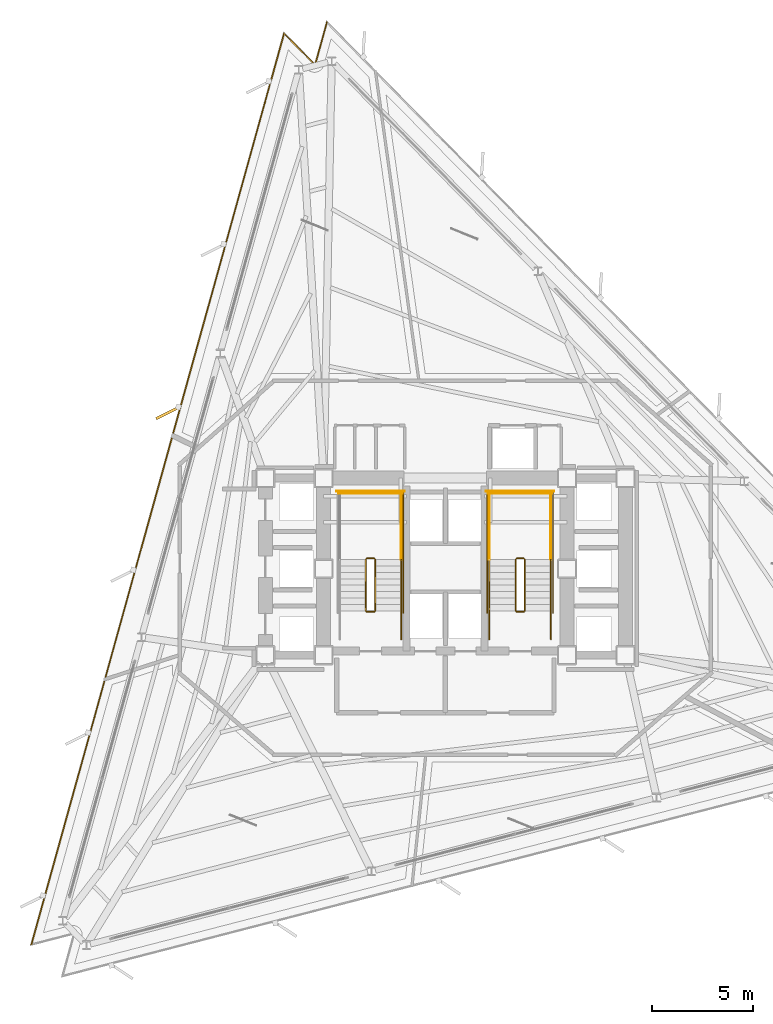
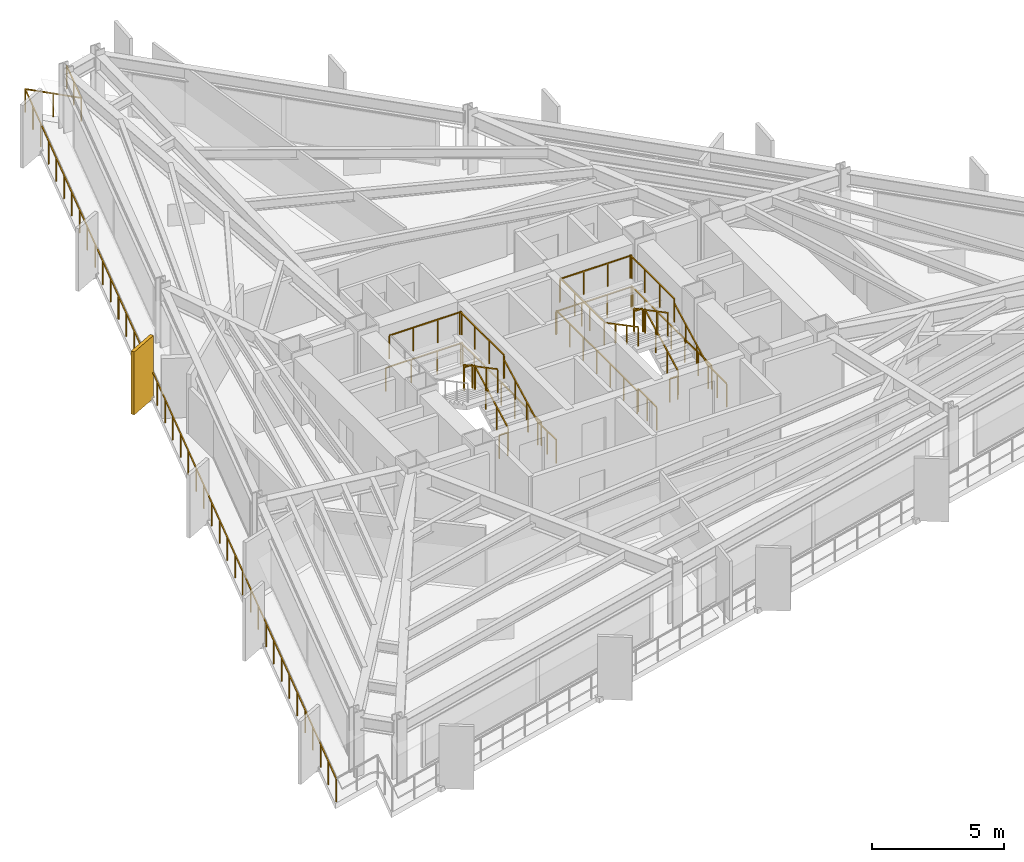
# One storey, part 10 of 11: 25 railings, 1 shading device.
"""IFC4 building model written with IfcOpenShell, lengths in metres."""

from ifc_helpers import new_model, si_unit, direction, frame, origin, origin_2d, place, context, subcontext, project, spatial, rectangle, extrude, material, layer, layer_set, type_object, element, save


model = new_model("IFC4")

# Units and contexts
model_context = context("Model", 3, precision=1e-05, world=origin(), true_north=direction((0.0, 1.0)))
body_context = subcontext(model_context, "Body", "Model", "MODEL_VIEW")
ifc_project = project(units=[si_unit("LENGTHUNIT", "METRE"), si_unit("AREAUNIT", "SQUARE_METRE"), si_unit("VOLUMEUNIT", "CUBIC_METRE"), si_unit("PLANEANGLEUNIT", "RADIAN"), si_unit("MASSUNIT", "GRAM", prefix="KILO")], contexts=[model_context])

# Site, building, storey
site_placement = place(None, origin())
site = spatial("IfcSite", under=ifc_project, at=site_placement, CompositionType="ELEMENT")
building_placement = place(site_placement, origin())
building = spatial("IfcBuilding", under=site, at=building_placement, Name="Rocaltana Carrier Exchange", CompositionType="ELEMENT")
storey_placement = place(building_placement, frame((0.0, 0.0, 88.639892578125)))
storey = spatial("IfcBuildingStorey", under=building, at=storey_placement, Name="L27", CompositionType="ELEMENT", Elevation=88.639892578125)

# Railings
ifc_material_1 = material(Name="Brushed Architectural Stainless Tube", Category="steel")
ifc_layer_1 = layer(ifc_material_1, 0.048095703125)
ifc_layer_set_1 = layer_set([ifc_layer_1], Name="Brushed Architectural Stainless Tube")
railing_type_1 = type_object("IfcRailingType", Name="Stair Wall Handrail 920", PredefinedType="HANDRAIL", material=ifc_layer_set_1)
for number, where, name in (
    (1, (-2.18994140625, -2.10009765625, 0.1689453125), "L27 ST-1 stair handrail 1"),
    (2, (5.25, -2.10009765625, 0.1689453125), "L27 ST-2 stair handrail 1"),
):
    element("IfcRailing", number, at=place(storey_placement, frame(where)), inside=storey, type_object=railing_type_1, Name=name, PredefinedType="HANDRAIL", context=body_context, shape_type="SweptSolid", body=[
        extrude(rectangle(XDim=0.048095703125, YDim=0.048095703125, at=origin_2d()), frame((0.0, 0.0, 0.8759765625), z_axis=(0.0, 0.884394423565, 0.466740295633), x_axis=(-1.0, 0.0, 0.0)), (0.0, 0.0, 1.0), 2.894775390625),
        extrude(rectangle(XDim=0.0419921875, YDim=0.0419921875, at=origin_2d()), origin(), (0.0, 0.0, 1.0), 0.851806640625),
        extrude(rectangle(XDim=0.0419921875, YDim=0.0419921875, at=origin_2d()), frame((0.0, 0.853271484375, 0.450439453125)), (0.0, 0.0, 1.0), 0.851806640625),
        extrude(rectangle(XDim=0.0419921875, YDim=0.0419921875, at=origin_2d()), frame((0.0, 1.706787109375, 0.900634765625)), (0.0, 0.0, 1.0), 0.851806640625),
        extrude(rectangle(XDim=0.0419921875, YDim=0.0419921875, at=origin_2d()), frame((0.0, 2.56005859375, 1.35107421875)), (0.0, 0.0, 1.0), 0.851806640625),
    ])
railing_1_placement = place(storey_placement, frame((2.18994140625, 0.4599609375, 1.68896484375)))
element("IfcRailing", 3, at=railing_1_placement, inside=storey, type_object=railing_type_1, Name="L27 ST-2 stair handrail 2", PredefinedType="HANDRAIL", context=body_context, shape_type="SweptSolid", body=[
    extrude(rectangle(XDim=0.048095703125, YDim=0.048095703125, at=origin_2d()), frame((0.0, 0.0, 0.8759765625), z_axis=(0.0, -0.884394423565, 0.466740295633), x_axis=(1.0, 0.0, 0.0)), (0.0, 0.0, 1.0), 2.894775390625),
    extrude(rectangle(XDim=0.0419921875, YDim=0.0419921875, at=origin_2d()), origin(), (0.0, 0.0, 1.0), 0.851806640625),
    extrude(rectangle(XDim=0.0419921875, YDim=0.0419921875, at=origin_2d()), frame((0.0, -0.853271484375, 0.450439453125)), (0.0, 0.0, 1.0), 0.851806640625),
    extrude(rectangle(XDim=0.0419921875, YDim=0.0419921875, at=origin_2d()), frame((0.0, -1.706787109375, 0.900634765625)), (0.0, 0.0, 1.0), 0.851806640625),
    extrude(rectangle(XDim=0.0419921875, YDim=0.0419921875, at=origin_2d()), frame((0.0, -2.56005859375, 1.35107421875)), (0.0, 0.0, 1.0), 0.851806640625),
])
ifc_material_2 = material(Name="Powder-Coated Aluminium 6063-T6", Category="aluminium")
ifc_layer_2 = layer(ifc_material_2, 0.048095703125)
ifc_layer_set_2 = layer_set([ifc_layer_2], Name="Powder-Coated Aluminium 6063-T6")
railing_type_2 = type_object("IfcRailingType", Name="Stair Well Guardrail 1100", PredefinedType="GUARDRAIL", material=ifc_layer_set_2)
railing_2_placement = place(storey_placement, frame((-3.489990234375, -2.10009765625, 0.1689453125)))
element("IfcRailing", 4, at=railing_2_placement, inside=storey, type_object=railing_type_2, Name="L27 ST-1 stair guard 1", PredefinedType="GUARDRAIL", context=body_context, shape_type="SweptSolid", body=[
    extrude(rectangle(XDim=0.048095703125, YDim=0.048095703125, at=origin_2d()), frame((0.0, 0.0, 1.076171875), z_axis=(0.0, 0.884394423565, 0.466740295633), x_axis=(-1.0, 0.0, 0.0)), (0.0, 0.0, 1.0), 2.894775390625),
    extrude(rectangle(XDim=0.0419921875, YDim=0.0419921875, at=origin_2d()), origin(), (0.0, 0.0, 1.0), 1.052001953125),
    extrude(rectangle(XDim=0.0419921875, YDim=0.0419921875, at=origin_2d()), frame((0.0, 0.853271484375, 0.450439453125)), (0.0, 0.0, 1.0), 1.052001953125),
    extrude(rectangle(XDim=0.0419921875, YDim=0.0419921875, at=origin_2d()), frame((0.0, 1.706787109375, 0.900634765625)), (0.0, 0.0, 1.0), 1.052001953125),
    extrude(rectangle(XDim=0.0419921875, YDim=0.0419921875, at=origin_2d()), frame((0.0, 2.56005859375, 1.35107421875)), (0.0, 0.0, 1.0), 1.052001953125),
])
railing_3_placement = place(storey_placement, frame((-3.5400390625, 0.510009765625, 1.52001953125)))
element("IfcRailing", 5, at=railing_3_placement, inside=storey, type_object=railing_type_2, Name="L27 ST-1 stair guard 2", PredefinedType="GUARDRAIL", context=body_context, shape_type="SweptSolid", body=[
    extrude(rectangle(XDim=0.048095703125, YDim=0.048095703125, at=origin_2d()), frame((0.0, 0.0, 1.076171875), z_axis=(-1.0, 0.0, 0.0), x_axis=(0.0, -1.0, 0.0)), (0.0, 0.0, 1.0), 0.35986328125),
    extrude(rectangle(XDim=0.0419921875, YDim=0.0419921875, at=origin_2d()), origin(), (0.0, 0.0, 1.0), 1.052001953125),
    extrude(rectangle(XDim=0.0419921875, YDim=0.0419921875, at=origin_2d()), frame((-0.35986328125, 0.0, 0.0)), (0.0, 0.0, 1.0), 1.052001953125),
])
railing_4_placement = place(storey_placement, frame((-2.18994140625, 0.4599609375, 1.52001953125)))
element("IfcRailing", 6, at=railing_4_placement, inside=storey, type_object=railing_type_2, Name="L27 ST-1 stair guard 3", PredefinedType="GUARDRAIL", context=body_context, shape_type="SweptSolid", body=[
    extrude(rectangle(XDim=0.048095703125, YDim=0.048095703125, at=origin_2d()), frame((0.0, 0.0, 1.076171875), z_axis=(0.0, 1.0, 0.0), x_axis=(-1.0, 0.0, 0.0)), (0.0, 0.0, 1.0), 3.340087890625),
    extrude(rectangle(XDim=0.0419921875, YDim=0.0419921875, at=origin_2d()), origin(), (0.0, 0.0, 1.0), 1.052001953125),
    extrude(rectangle(XDim=0.0419921875, YDim=0.0419921875, at=origin_2d()), frame((0.0, 1.11328125, 0.0)), (0.0, 0.0, 1.0), 1.052001953125),
    extrude(rectangle(XDim=0.0419921875, YDim=0.0419921875, at=origin_2d()), frame((0.0, 2.226806640625, 0.0)), (0.0, 0.0, 1.0), 1.052001953125),
    extrude(rectangle(XDim=0.0419921875, YDim=0.0419921875, at=origin_2d()), frame((0.0, 3.340087890625, 0.0)), (0.0, 0.0, 1.0), 1.052001953125),
])
railing_5_placement = place(storey_placement, frame((-2.139892578125, 3.75, 1.52001953125)))
element("IfcRailing", 7, at=railing_5_placement, inside=storey, type_object=railing_type_2, Name="L27 ST-1 stair guard 5", PredefinedType="GUARDRAIL", context=body_context, shape_type="SweptSolid", body=[
    extrude(rectangle(XDim=0.048095703125, YDim=0.048095703125, at=origin_2d()), frame((0.0, 0.0, 1.076171875), z_axis=(-1.0, 0.0, 0.0), x_axis=(0.0, -1.0, 0.0)), (0.0, 0.0, 1.0), 3.16015625),
    extrude(rectangle(XDim=0.0419921875, YDim=0.0419921875, at=origin_2d()), origin(), (0.0, 0.0, 1.0), 1.052001953125),
    extrude(rectangle(XDim=0.0419921875, YDim=0.0419921875, at=origin_2d()), frame((-1.053466796875, 0.0, 0.0)), (0.0, 0.0, 1.0), 1.052001953125),
    extrude(rectangle(XDim=0.0419921875, YDim=0.0419921875, at=origin_2d()), frame((-2.106689453125, 0.0, 0.0)), (0.0, 0.0, 1.0), 1.052001953125),
    extrude(rectangle(XDim=0.0419921875, YDim=0.0419921875, at=origin_2d()), frame((-3.16015625, 0.0, 0.0)), (0.0, 0.0, 1.0), 1.052001953125),
])
railing_6_placement = place(storey_placement, frame((-3.949951171875, 0.4599609375, 1.68896484375)))
element("IfcRailing", 8, at=railing_6_placement, inside=storey, type_object=railing_type_2, Name="L27 ST-1 stair guard 6", PredefinedType="GUARDRAIL", context=body_context, shape_type="SweptSolid", body=[
    extrude(rectangle(XDim=0.048095703125, YDim=0.048095703125, at=origin_2d()), frame((0.0, 0.0, 1.076171875), z_axis=(0.0, -0.884394423565, 0.466740295633), x_axis=(1.0, 0.0, 0.0)), (0.0, 0.0, 1.0), 2.894775390625),
    extrude(rectangle(XDim=0.0419921875, YDim=0.0419921875, at=origin_2d()), origin(), (0.0, 0.0, 1.0), 1.052001953125),
    extrude(rectangle(XDim=0.0419921875, YDim=0.0419921875, at=origin_2d()), frame((0.0, -0.853271484375, 0.450439453125)), (0.0, 0.0, 1.0), 1.052001953125),
    extrude(rectangle(XDim=0.0419921875, YDim=0.0419921875, at=origin_2d()), frame((0.0, -1.706787109375, 0.900634765625)), (0.0, 0.0, 1.0), 1.052001953125),
    extrude(rectangle(XDim=0.0419921875, YDim=0.0419921875, at=origin_2d()), frame((0.0, -2.56005859375, 1.35107421875)), (0.0, 0.0, 1.0), 1.052001953125),
])
railing_7_placement = place(storey_placement, frame((-3.5400390625, -2.14990234375, 0.0)))
element("IfcRailing", 9, at=railing_7_placement, inside=storey, type_object=railing_type_2, Name="L27 ST-1 stair guard 7", PredefinedType="GUARDRAIL", context=body_context, shape_type="SweptSolid", body=[
    extrude(rectangle(XDim=0.048095703125, YDim=0.048095703125, at=origin_2d()), frame((0.0, 0.0, 1.076171875), z_axis=(-1.0, 0.0, 0.0), x_axis=(0.0, -1.0, 0.0)), (0.0, 0.0, 1.0), 0.35986328125),
    extrude(rectangle(XDim=0.0419921875, YDim=0.0419921875, at=origin_2d()), origin(), (0.0, 0.0, 1.0), 1.052001953125),
    extrude(rectangle(XDim=0.0419921875, YDim=0.0419921875, at=origin_2d()), frame((-0.35986328125, 0.0, 0.0)), (0.0, 0.0, 1.0), 1.052001953125),
])
railing_8_placement = place(storey_placement, frame((-2.18994140625, -3.5, 0.0)))
element("IfcRailing", 10, at=railing_8_placement, inside=storey, type_object=railing_type_2, Name="L27 ST-1 stair guard 8", PredefinedType="GUARDRAIL", context=body_context, shape_type="SweptSolid", body=[
    extrude(rectangle(XDim=0.048095703125, YDim=0.048095703125, at=origin_2d()), frame((0.0, 0.0, 1.076171875), z_axis=(0.0, 1.0, 0.0), x_axis=(-1.0, 0.0, 0.0)), (0.0, 0.0, 1.0), 1.39990234375),
    extrude(rectangle(XDim=0.0419921875, YDim=0.0419921875, at=origin_2d()), origin(), (0.0, 0.0, 1.0), 1.052001953125),
    extrude(rectangle(XDim=0.0419921875, YDim=0.0419921875, at=origin_2d()), frame((0.0, 0.699951171875, 0.0)), (0.0, 0.0, 1.0), 1.052001953125),
    extrude(rectangle(XDim=0.0419921875, YDim=0.0419921875, at=origin_2d()), frame((0.0, 1.39990234375, 0.0)), (0.0, 0.0, 1.0), 1.052001953125),
])
railing_9_placement = place(storey_placement, frame((-2.090087890625, -2.199951171875, 0.0)))
element("IfcRailing", 11, at=railing_9_placement, inside=storey, type_object=railing_type_2, Name="L27 ST-1 stair guard 10", PredefinedType="GUARDRAIL", context=body_context, shape_type="SweptSolid", body=[
    extrude(rectangle(XDim=0.048095703125, YDim=0.048095703125, at=origin_2d()), frame((0.0, 0.0, 1.076171875), z_axis=(0.0, 1.0, 0.0), x_axis=(-1.0, 0.0, 0.0)), (0.0, 0.0, 1.0), 6.099853515625),
    extrude(rectangle(XDim=0.0419921875, YDim=0.0419921875, at=origin_2d()), origin(), (0.0, 0.0, 1.0), 1.052001953125),
    extrude(rectangle(XDim=0.0419921875, YDim=0.0419921875, at=origin_2d()), frame((0.0, 1.0166015625, 0.0)), (0.0, 0.0, 1.0), 1.052001953125),
    extrude(rectangle(XDim=0.0419921875, YDim=0.0419921875, at=origin_2d()), frame((0.0, 2.033203125, 0.0)), (0.0, 0.0, 1.0), 1.052001953125),
    extrude(rectangle(XDim=0.0419921875, YDim=0.0419921875, at=origin_2d()), frame((0.0, 3.0498046875, 0.0)), (0.0, 0.0, 1.0), 1.052001953125),
    extrude(rectangle(XDim=0.0419921875, YDim=0.0419921875, at=origin_2d()), frame((0.0, 4.066650390625, 0.0)), (0.0, 0.0, 1.0), 1.052001953125),
    extrude(rectangle(XDim=0.0419921875, YDim=0.0419921875, at=origin_2d()), frame((0.0, 5.083251953125, 0.0)), (0.0, 0.0, 1.0), 1.052001953125),
    extrude(rectangle(XDim=0.0419921875, YDim=0.0419921875, at=origin_2d()), frame((0.0, 6.099853515625, 0.0)), (0.0, 0.0, 1.0), 1.052001953125),
])
railing_10_placement = place(storey_placement, frame((-2.0400390625, 3.85009765625, 0.0)))
element("IfcRailing", 12, at=railing_10_placement, inside=storey, type_object=railing_type_2, Name="L27 ST-1 stair guard 12", PredefinedType="GUARDRAIL", context=body_context, shape_type="SweptSolid", body=[
    extrude(rectangle(XDim=0.048095703125, YDim=0.048095703125, at=origin_2d()), frame((0.0, 0.0, 1.076171875), z_axis=(-1.0, 0.0, 0.0), x_axis=(0.0, -1.0, 0.0)), (0.0, 0.0, 1.0), 3.35986328125),
    extrude(rectangle(XDim=0.0419921875, YDim=0.0419921875, at=origin_2d()), origin(), (0.0, 0.0, 1.0), 1.052001953125),
    extrude(rectangle(XDim=0.0419921875, YDim=0.0419921875, at=origin_2d()), frame((-1.119873046875, 0.0, 0.0)), (0.0, 0.0, 1.0), 1.052001953125),
    extrude(rectangle(XDim=0.0419921875, YDim=0.0419921875, at=origin_2d()), frame((-2.239990234375, 0.0, 0.0)), (0.0, 0.0, 1.0), 1.052001953125),
    extrude(rectangle(XDim=0.0419921875, YDim=0.0419921875, at=origin_2d()), frame((-3.35986328125, 0.0, 0.0)), (0.0, 0.0, 1.0), 1.052001953125),
])
railing_11_placement = place(storey_placement, frame((3.949951171875, -2.10009765625, 0.1689453125)))
element("IfcRailing", 13, at=railing_11_placement, inside=storey, type_object=railing_type_2, Name="L27 ST-2 stair guard 1", PredefinedType="GUARDRAIL", context=body_context, shape_type="SweptSolid", body=[
    extrude(rectangle(XDim=0.048095703125, YDim=0.048095703125, at=origin_2d()), frame((0.0, 0.0, 1.076171875), z_axis=(0.0, 0.884394423565, 0.466740295633), x_axis=(-1.0, 0.0, 0.0)), (0.0, 0.0, 1.0), 2.894775390625),
    extrude(rectangle(XDim=0.0419921875, YDim=0.0419921875, at=origin_2d()), origin(), (0.0, 0.0, 1.0), 1.052001953125),
    extrude(rectangle(XDim=0.0419921875, YDim=0.0419921875, at=origin_2d()), frame((0.0, 0.853271484375, 0.450439453125)), (0.0, 0.0, 1.0), 1.052001953125),
    extrude(rectangle(XDim=0.0419921875, YDim=0.0419921875, at=origin_2d()), frame((0.0, 1.706787109375, 0.900634765625)), (0.0, 0.0, 1.0), 1.052001953125),
    extrude(rectangle(XDim=0.0419921875, YDim=0.0419921875, at=origin_2d()), frame((0.0, 2.56005859375, 1.35107421875)), (0.0, 0.0, 1.0), 1.052001953125),
])
railing_12_placement = place(storey_placement, frame((3.89990234375, 0.510009765625, 1.52001953125)))
element("IfcRailing", 14, at=railing_12_placement, inside=storey, type_object=railing_type_2, Name="L27 ST-2 stair guard 2", PredefinedType="GUARDRAIL", context=body_context, shape_type="SweptSolid", body=[
    extrude(rectangle(XDim=0.048095703125, YDim=0.048095703125, at=origin_2d()), frame((0.0, 0.0, 1.076171875), z_axis=(-1.0, 0.0, 0.0), x_axis=(0.0, -1.0, 0.0)), (0.0, 0.0, 1.0), 0.35986328125),
    extrude(rectangle(XDim=0.0419921875, YDim=0.0419921875, at=origin_2d()), origin(), (0.0, 0.0, 1.0), 1.052001953125),
    extrude(rectangle(XDim=0.0419921875, YDim=0.0419921875, at=origin_2d()), frame((-0.35986328125, 0.0, 0.0)), (0.0, 0.0, 1.0), 1.052001953125),
])
for number, where, name in (
    (15, (5.25, 0.4599609375, 1.52001953125), "L27 ST-2 stair guard 3"),
    (16, (2.18994140625, 0.4599609375, 1.52001953125), "L27 ST-2 stair guard 4"),
):
    element("IfcRailing", number, at=place(storey_placement, frame(where)), inside=storey, type_object=railing_type_2, Name=name, PredefinedType="GUARDRAIL", context=body_context, shape_type="SweptSolid", body=[
        extrude(rectangle(XDim=0.048095703125, YDim=0.048095703125, at=origin_2d()), frame((0.0, 0.0, 1.076171875), z_axis=(0.0, 1.0, 0.0), x_axis=(-1.0, 0.0, 0.0)), (0.0, 0.0, 1.0), 3.340087890625),
        extrude(rectangle(XDim=0.0419921875, YDim=0.0419921875, at=origin_2d()), origin(), (0.0, 0.0, 1.0), 1.052001953125),
        extrude(rectangle(XDim=0.0419921875, YDim=0.0419921875, at=origin_2d()), frame((0.0, 1.11328125, 0.0)), (0.0, 0.0, 1.0), 1.052001953125),
        extrude(rectangle(XDim=0.0419921875, YDim=0.0419921875, at=origin_2d()), frame((0.0, 2.226806640625, 0.0)), (0.0, 0.0, 1.0), 1.052001953125),
        extrude(rectangle(XDim=0.0419921875, YDim=0.0419921875, at=origin_2d()), frame((0.0, 3.340087890625, 0.0)), (0.0, 0.0, 1.0), 1.052001953125),
    ])
railing_13_placement = place(storey_placement, frame((5.300048828125, 3.75, 1.52001953125)))
element("IfcRailing", 17, at=railing_13_placement, inside=storey, type_object=railing_type_2, Name="L27 ST-2 stair guard 5", PredefinedType="GUARDRAIL", context=body_context, shape_type="SweptSolid", body=[
    extrude(rectangle(XDim=0.048095703125, YDim=0.048095703125, at=origin_2d()), frame((0.0, 0.0, 1.076171875), z_axis=(-1.0, 0.0, 0.0), x_axis=(0.0, -1.0, 0.0)), (0.0, 0.0, 1.0), 3.16015625),
    extrude(rectangle(XDim=0.0419921875, YDim=0.0419921875, at=origin_2d()), origin(), (0.0, 0.0, 1.0), 1.052001953125),
    extrude(rectangle(XDim=0.0419921875, YDim=0.0419921875, at=origin_2d()), frame((-1.053466796875, 0.0, 0.0)), (0.0, 0.0, 1.0), 1.052001953125),
    extrude(rectangle(XDim=0.0419921875, YDim=0.0419921875, at=origin_2d()), frame((-2.106689453125, 0.0, 0.0)), (0.0, 0.0, 1.0), 1.052001953125),
    extrude(rectangle(XDim=0.0419921875, YDim=0.0419921875, at=origin_2d()), frame((-3.16015625, 0.0, 0.0)), (0.0, 0.0, 1.0), 1.052001953125),
])
railing_14_placement = place(storey_placement, frame((3.489990234375, 0.4599609375, 1.68896484375)))
element("IfcRailing", 18, at=railing_14_placement, inside=storey, type_object=railing_type_2, Name="L27 ST-2 stair guard 6", PredefinedType="GUARDRAIL", context=body_context, shape_type="SweptSolid", body=[
    extrude(rectangle(XDim=0.048095703125, YDim=0.048095703125, at=origin_2d()), frame((0.0, 0.0, 1.076171875), z_axis=(0.0, -0.884394423565, 0.466740295633), x_axis=(1.0, 0.0, 0.0)), (0.0, 0.0, 1.0), 2.894775390625),
    extrude(rectangle(XDim=0.0419921875, YDim=0.0419921875, at=origin_2d()), origin(), (0.0, 0.0, 1.0), 1.052001953125),
    extrude(rectangle(XDim=0.0419921875, YDim=0.0419921875, at=origin_2d()), frame((0.0, -0.853271484375, 0.450439453125)), (0.0, 0.0, 1.0), 1.052001953125),
    extrude(rectangle(XDim=0.0419921875, YDim=0.0419921875, at=origin_2d()), frame((0.0, -1.706787109375, 0.900634765625)), (0.0, 0.0, 1.0), 1.052001953125),
    extrude(rectangle(XDim=0.0419921875, YDim=0.0419921875, at=origin_2d()), frame((0.0, -2.56005859375, 1.35107421875)), (0.0, 0.0, 1.0), 1.052001953125),
])
railing_15_placement = place(storey_placement, frame((3.89990234375, -2.14990234375, 0.0)))
element("IfcRailing", 19, at=railing_15_placement, inside=storey, type_object=railing_type_2, Name="L27 ST-2 stair guard 7", PredefinedType="GUARDRAIL", context=body_context, shape_type="SweptSolid", body=[
    extrude(rectangle(XDim=0.048095703125, YDim=0.048095703125, at=origin_2d()), frame((0.0, 0.0, 1.076171875), z_axis=(-1.0, 0.0, 0.0), x_axis=(0.0, -1.0, 0.0)), (0.0, 0.0, 1.0), 0.35986328125),
    extrude(rectangle(XDim=0.0419921875, YDim=0.0419921875, at=origin_2d()), origin(), (0.0, 0.0, 1.0), 1.052001953125),
    extrude(rectangle(XDim=0.0419921875, YDim=0.0419921875, at=origin_2d()), frame((-0.35986328125, 0.0, 0.0)), (0.0, 0.0, 1.0), 1.052001953125),
])
for number, where, name in (
    (20, (5.25, -3.5, 0.0), "L27 ST-2 stair guard 8"),
    (21, (2.18994140625, -3.5, 0.0), "L27 ST-2 stair guard 9"),
):
    element("IfcRailing", number, at=place(storey_placement, frame(where)), inside=storey, type_object=railing_type_2, Name=name, PredefinedType="GUARDRAIL", context=body_context, shape_type="SweptSolid", body=[
        extrude(rectangle(XDim=0.048095703125, YDim=0.048095703125, at=origin_2d()), frame((0.0, 0.0, 1.076171875), z_axis=(0.0, 1.0, 0.0), x_axis=(-1.0, 0.0, 0.0)), (0.0, 0.0, 1.0), 1.39990234375),
        extrude(rectangle(XDim=0.0419921875, YDim=0.0419921875, at=origin_2d()), origin(), (0.0, 0.0, 1.0), 1.052001953125),
        extrude(rectangle(XDim=0.0419921875, YDim=0.0419921875, at=origin_2d()), frame((0.0, 0.699951171875, 0.0)), (0.0, 0.0, 1.0), 1.052001953125),
        extrude(rectangle(XDim=0.0419921875, YDim=0.0419921875, at=origin_2d()), frame((0.0, 1.39990234375, 0.0)), (0.0, 0.0, 1.0), 1.052001953125),
    ])
for number, where, name in (
    (22, (5.35009765625, -2.199951171875, 0.0), "L27 ST-2 stair guard 10"),
    (23, (2.090087890625, -2.199951171875, 0.0), "L27 ST-2 stair guard 11"),
):
    element("IfcRailing", number, at=place(storey_placement, frame(where)), inside=storey, type_object=railing_type_2, Name=name, PredefinedType="GUARDRAIL", context=body_context, shape_type="SweptSolid", body=[
        extrude(rectangle(XDim=0.048095703125, YDim=0.048095703125, at=origin_2d()), frame((0.0, 0.0, 1.076171875), z_axis=(0.0, 1.0, 0.0), x_axis=(-1.0, 0.0, 0.0)), (0.0, 0.0, 1.0), 6.099853515625),
        extrude(rectangle(XDim=0.0419921875, YDim=0.0419921875, at=origin_2d()), origin(), (0.0, 0.0, 1.0), 1.052001953125),
        extrude(rectangle(XDim=0.0419921875, YDim=0.0419921875, at=origin_2d()), frame((0.0, 1.0166015625, 0.0)), (0.0, 0.0, 1.0), 1.052001953125),
        extrude(rectangle(XDim=0.0419921875, YDim=0.0419921875, at=origin_2d()), frame((0.0, 2.033203125, 0.0)), (0.0, 0.0, 1.0), 1.052001953125),
        extrude(rectangle(XDim=0.0419921875, YDim=0.0419921875, at=origin_2d()), frame((0.0, 3.0498046875, 0.0)), (0.0, 0.0, 1.0), 1.052001953125),
        extrude(rectangle(XDim=0.0419921875, YDim=0.0419921875, at=origin_2d()), frame((0.0, 4.066650390625, 0.0)), (0.0, 0.0, 1.0), 1.052001953125),
        extrude(rectangle(XDim=0.0419921875, YDim=0.0419921875, at=origin_2d()), frame((0.0, 5.083251953125, 0.0)), (0.0, 0.0, 1.0), 1.052001953125),
        extrude(rectangle(XDim=0.0419921875, YDim=0.0419921875, at=origin_2d()), frame((0.0, 6.099853515625, 0.0)), (0.0, 0.0, 1.0), 1.052001953125),
    ])
railing_16_placement = place(storey_placement, frame((5.39990234375, 3.85009765625, 0.0)))
element("IfcRailing", 24, at=railing_16_placement, inside=storey, type_object=railing_type_2, Name="L27 ST-2 stair guard 12", PredefinedType="GUARDRAIL", context=body_context, shape_type="SweptSolid", body=[
    extrude(rectangle(XDim=0.048095703125, YDim=0.048095703125, at=origin_2d()), frame((0.0, 0.0, 1.076171875), z_axis=(-1.0, 0.0, 0.0), x_axis=(0.0, -1.0, 0.0)), (0.0, 0.0, 1.0), 3.35986328125),
    extrude(rectangle(XDim=0.0419921875, YDim=0.0419921875, at=origin_2d()), origin(), (0.0, 0.0, 1.0), 1.052001953125),
    extrude(rectangle(XDim=0.0419921875, YDim=0.0419921875, at=origin_2d()), frame((-1.119873046875, 0.0, 0.0)), (0.0, 0.0, 1.0), 1.052001953125),
    extrude(rectangle(XDim=0.0419921875, YDim=0.0419921875, at=origin_2d()), frame((-2.239990234375, 0.0, 0.0)), (0.0, 0.0, 1.0), 1.052001953125),
    extrude(rectangle(XDim=0.0419921875, YDim=0.0419921875, at=origin_2d()), frame((-3.35986328125, 0.0, 0.0)), (0.0, 0.0, 1.0), 1.052001953125),
])

# Shading device
ifc_material_3 = material(Name="Honed Bogota Sandstone & Concrete C45/55", Category="masonry")
ifc_layer_3 = layer(ifc_material_3, 0.139892578125)
ifc_layer_set_3 = layer_set([ifc_layer_3], Name="Honed Bogota Sandstone & Concrete C45/55")
shading_device_type = type_object("IfcShadingDeviceType", Name="Vertical Sandstone Shading Fin 1320x140", PredefinedType="USERDEFINED", material=ifc_layer_set_3)
shading_device_placement = place(storey_placement, frame((-13.786376953125, 7.751220703125, -0.11962890625), z_axis=(0.0, 0.0, 1.0), x_axis=(-0.894934361602, -0.44619781311, 0.0)))
element("IfcShadingDevice", 25, at=shading_device_placement, inside=storey, type_object=shading_device_type, Name="L27 Sandstone Vertical Fin F2-03", ObjectType="FIN", PredefinedType="USERDEFINED", context=body_context, shape_type="SweptSolid", body=[
    extrude(rectangle(XDim=1.320068359375, YDim=0.139892578125, at=origin_2d()), origin(), (0.0, 0.0, 1.0), 2.907958984375),
])

# Railing
ifc_material_4 = material(Name="Powder-Coated Aluminium 6063-T6", Category="aluminium")
ifc_layer_4 = layer(ifc_material_4, 0.06005859375)
ifc_layer_set_4 = layer_set([ifc_layer_4], Name="Powder-Coated Aluminium 6063-T6")
railing_type_3 = type_object("IfcRailingType", Name="Wind-Floor & Terrace Perimeter Guardrail 1100", PredefinedType="GUARDRAIL", material=ifc_layer_set_4)
railing_17_placement = place(storey_placement, frame((-20.5751953125, -18.677001953125, 0.0)))
element("IfcRailing", 26, at=railing_17_placement, inside=storey, type_object=railing_type_3, Name="L27 Perimeter Balcony Guardrail 2", PredefinedType="GUARDRAIL", context=body_context, shape_type="SweptSolid", body=[
    extrude(rectangle(XDim=0.048095703125, YDim=0.048095703125, at=origin_2d()), frame((0.0, 0.0, 1.076171875), z_axis=(0.267237621402, 0.963630662499, 0.0), x_axis=(-0.963630662499, 0.267237621402, 0.0)), (0.0, 0.0, 1.0), 46.9921875),
    extrude(rectangle(XDim=0.048095703125, YDim=0.048095703125, at=origin_2d()), frame((12.55810546875, 45.283203125, 1.076171875), z_axis=(0.700920820206, -0.713239093012, 0.0), x_axis=(0.713239093012, 0.700920820206, 0.0)), (0.0, 0.0, 1.0), 2.199951171875),
    extrude(rectangle(XDim=0.048095703125, YDim=0.048095703125, at=origin_2d()), frame((14.10009765625, 43.714111328125, 1.076171875), z_axis=(0.267237446942, 0.96363071088, 0.0), x_axis=(-0.96363071088, 0.267237446942, 0.0)), (0.0, 0.0, 1.0), 2.199951171875),
    extrude(rectangle(XDim=0.0419921875, YDim=0.0419921875, at=origin_2d()), origin(), (0.0, 0.0, 1.0), 1.052001953125),
    extrude(rectangle(XDim=0.0419921875, YDim=0.0419921875, at=origin_2d()), frame((0.31396484375, 1.132080078125, 0.0)), (0.0, 0.0, 1.0), 1.052001953125),
    extrude(rectangle(XDim=0.0419921875, YDim=0.0419921875, at=origin_2d()), frame((0.6279296875, 2.26416015625, 0.0)), (0.0, 0.0, 1.0), 1.052001953125),
    extrude(rectangle(XDim=0.0419921875, YDim=0.0419921875, at=origin_2d()), frame((0.94189453125, 3.396240234375, 0.0)), (0.0, 0.0, 1.0), 1.052001953125),
    extrude(rectangle(XDim=0.0419921875, YDim=0.0419921875, at=origin_2d()), frame((1.255859375, 4.5283203125, 0.0)), (0.0, 0.0, 1.0), 1.052001953125),
    extrude(rectangle(XDim=0.0419921875, YDim=0.0419921875, at=origin_2d()), frame((1.56982421875, 5.660400390625, 0.0)), (0.0, 0.0, 1.0), 1.052001953125),
    extrude(rectangle(XDim=0.0419921875, YDim=0.0419921875, at=origin_2d()), frame((1.8837890625, 6.79248046875, 0.0)), (0.0, 0.0, 1.0), 1.052001953125),
    extrude(rectangle(XDim=0.0419921875, YDim=0.0419921875, at=origin_2d()), frame((2.19775390625, 7.924560546875, 0.0)), (0.0, 0.0, 1.0), 1.052001953125),
    extrude(rectangle(XDim=0.0419921875, YDim=0.0419921875, at=origin_2d()), frame((2.51171875, 9.056640625, 0.0)), (0.0, 0.0, 1.0), 1.052001953125),
    extrude(rectangle(XDim=0.0419921875, YDim=0.0419921875, at=origin_2d()), frame((2.82568359375, 10.188720703125, 0.0)), (0.0, 0.0, 1.0), 1.052001953125),
    extrude(rectangle(XDim=0.0419921875, YDim=0.0419921875, at=origin_2d()), frame((3.1396484375, 11.32080078125, 0.0)), (0.0, 0.0, 1.0), 1.052001953125),
    extrude(rectangle(XDim=0.0419921875, YDim=0.0419921875, at=origin_2d()), frame((3.453369140625, 12.452880859375, 0.0)), (0.0, 0.0, 1.0), 1.052001953125),
    extrude(rectangle(XDim=0.0419921875, YDim=0.0419921875, at=origin_2d()), frame((3.767333984375, 13.5849609375, 0.0)), (0.0, 0.0, 1.0), 1.052001953125),
    extrude(rectangle(XDim=0.0419921875, YDim=0.0419921875, at=origin_2d()), frame((4.081298828125, 14.717041015625, 0.0)), (0.0, 0.0, 1.0), 1.052001953125),
    extrude(rectangle(XDim=0.0419921875, YDim=0.0419921875, at=origin_2d()), frame((4.395263671875, 15.84912109375, 0.0)), (0.0, 0.0, 1.0), 1.052001953125),
    extrude(rectangle(XDim=0.0419921875, YDim=0.0419921875, at=origin_2d()), frame((4.709228515625, 16.981201171875, 0.0)), (0.0, 0.0, 1.0), 1.052001953125),
    extrude(rectangle(XDim=0.0419921875, YDim=0.0419921875, at=origin_2d()), frame((5.023193359375, 18.11328125, 0.0)), (0.0, 0.0, 1.0), 1.052001953125),
    extrude(rectangle(XDim=0.0419921875, YDim=0.0419921875, at=origin_2d()), frame((5.337158203125, 19.245361328125, 0.0)), (0.0, 0.0, 1.0), 1.052001953125),
    extrude(rectangle(XDim=0.0419921875, YDim=0.0419921875, at=origin_2d()), frame((5.651123046875, 20.37744140625, 0.0)), (0.0, 0.0, 1.0), 1.052001953125),
    extrude(rectangle(XDim=0.0419921875, YDim=0.0419921875, at=origin_2d()), frame((5.965087890625, 21.509521484375, 0.0)), (0.0, 0.0, 1.0), 1.052001953125),
    extrude(rectangle(XDim=0.0419921875, YDim=0.0419921875, at=origin_2d()), frame((6.279052734375, 22.6416015625, 0.0)), (0.0, 0.0, 1.0), 1.052001953125),
    extrude(rectangle(XDim=0.0419921875, YDim=0.0419921875, at=origin_2d()), frame((6.593017578125, 23.773681640625, 0.0)), (0.0, 0.0, 1.0), 1.052001953125),
    extrude(rectangle(XDim=0.0419921875, YDim=0.0419921875, at=origin_2d()), frame((6.906982421875, 24.90576171875, 0.0)), (0.0, 0.0, 1.0), 1.052001953125),
    extrude(rectangle(XDim=0.0419921875, YDim=0.0419921875, at=origin_2d()), frame((7.220947265625, 26.037841796875, 0.0)), (0.0, 0.0, 1.0), 1.052001953125),
    extrude(rectangle(XDim=0.0419921875, YDim=0.0419921875, at=origin_2d()), frame((7.534912109375, 27.169921875, 0.0)), (0.0, 0.0, 1.0), 1.052001953125),
    extrude(rectangle(XDim=0.0419921875, YDim=0.0419921875, at=origin_2d()), frame((7.848876953125, 28.302001953125, 0.0)), (0.0, 0.0, 1.0), 1.052001953125),
    extrude(rectangle(XDim=0.0419921875, YDim=0.0419921875, at=origin_2d()), frame((8.162841796875, 29.43408203125, 0.0)), (0.0, 0.0, 1.0), 1.052001953125),
    extrude(rectangle(XDim=0.0419921875, YDim=0.0419921875, at=origin_2d()), frame((8.476806640625, 30.566162109375, 0.0)), (0.0, 0.0, 1.0), 1.052001953125),
    extrude(rectangle(XDim=0.0419921875, YDim=0.0419921875, at=origin_2d()), frame((8.790771484375, 31.6982421875, 0.0)), (0.0, 0.0, 1.0), 1.052001953125),
    extrude(rectangle(XDim=0.0419921875, YDim=0.0419921875, at=origin_2d()), frame((9.104736328125, 32.830322265625, 0.0)), (0.0, 0.0, 1.0), 1.052001953125),
    extrude(rectangle(XDim=0.0419921875, YDim=0.0419921875, at=origin_2d()), frame((9.41845703125, 33.96240234375, 0.0)), (0.0, 0.0, 1.0), 1.052001953125),
    extrude(rectangle(XDim=0.0419921875, YDim=0.0419921875, at=origin_2d()), frame((9.732421875, 35.094482421875, 0.0)), (0.0, 0.0, 1.0), 1.052001953125),
    extrude(rectangle(XDim=0.0419921875, YDim=0.0419921875, at=origin_2d()), frame((10.04638671875, 36.2265625, 0.0)), (0.0, 0.0, 1.0), 1.052001953125),
    extrude(rectangle(XDim=0.0419921875, YDim=0.0419921875, at=origin_2d()), frame((10.3603515625, 37.358642578125, 0.0)), (0.0, 0.0, 1.0), 1.052001953125),
    extrude(rectangle(XDim=0.0419921875, YDim=0.0419921875, at=origin_2d()), frame((10.67431640625, 38.49072265625, 0.0)), (0.0, 0.0, 1.0), 1.052001953125),
    extrude(rectangle(XDim=0.0419921875, YDim=0.0419921875, at=origin_2d()), frame((10.98828125, 39.622802734375, 0.0)), (0.0, 0.0, 1.0), 1.052001953125),
    extrude(rectangle(XDim=0.0419921875, YDim=0.0419921875, at=origin_2d()), frame((11.30224609375, 40.7548828125, 0.0)), (0.0, 0.0, 1.0), 1.052001953125),
    extrude(rectangle(XDim=0.0419921875, YDim=0.0419921875, at=origin_2d()), frame((11.6162109375, 41.886962890625, 0.0)), (0.0, 0.0, 1.0), 1.052001953125),
    extrude(rectangle(XDim=0.0419921875, YDim=0.0419921875, at=origin_2d()), frame((11.93017578125, 43.01904296875, 0.0)), (0.0, 0.0, 1.0), 1.052001953125),
    extrude(rectangle(XDim=0.0419921875, YDim=0.0419921875, at=origin_2d()), frame((12.244140625, 44.151123046875, 0.0)), (0.0, 0.0, 1.0), 1.052001953125),
    extrude(rectangle(XDim=0.0419921875, YDim=0.0419921875, at=origin_2d()), frame((12.55810546875, 45.283203125, 0.0)), (0.0, 0.0, 1.0), 1.052001953125),
    extrude(rectangle(XDim=0.0419921875, YDim=0.0419921875, at=origin_2d()), frame((13.3291015625, 44.49853515625, 0.0)), (0.0, 0.0, 1.0), 1.052001953125),
    extrude(rectangle(XDim=0.0419921875, YDim=0.0419921875, at=origin_2d()), frame((14.10009765625, 43.714111328125, 0.0)), (0.0, 0.0, 1.0), 1.052001953125),
    extrude(rectangle(XDim=0.0419921875, YDim=0.0419921875, at=origin_2d()), frame((14.39404296875, 44.77392578125, 0.0)), (0.0, 0.0, 1.0), 1.052001953125),
    extrude(rectangle(XDim=0.0419921875, YDim=0.0419921875, at=origin_2d()), frame((14.68798828125, 45.833984375, 0.0)), (0.0, 0.0, 1.0), 1.052001953125),
])

save(model, "model.ifc")
